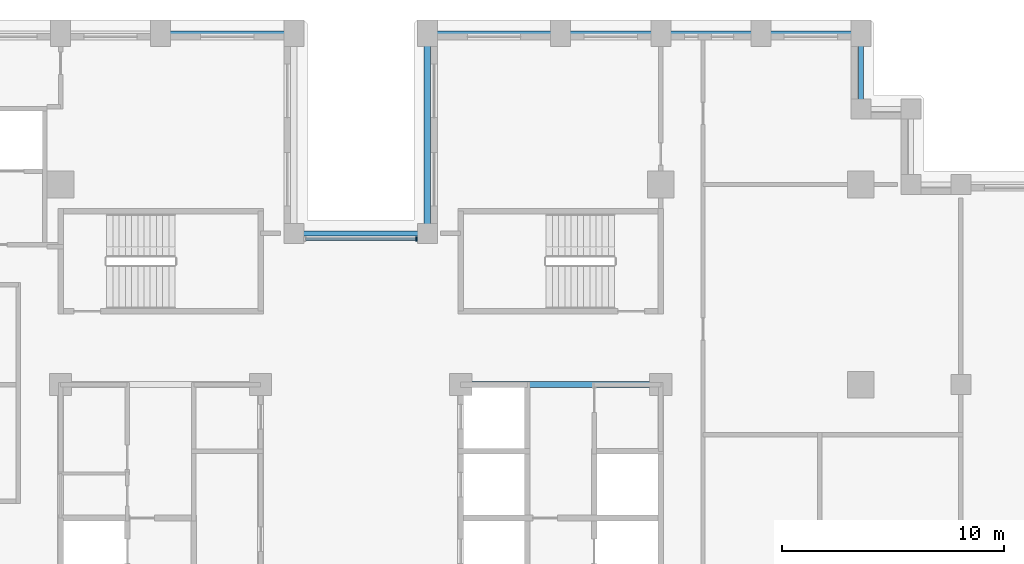
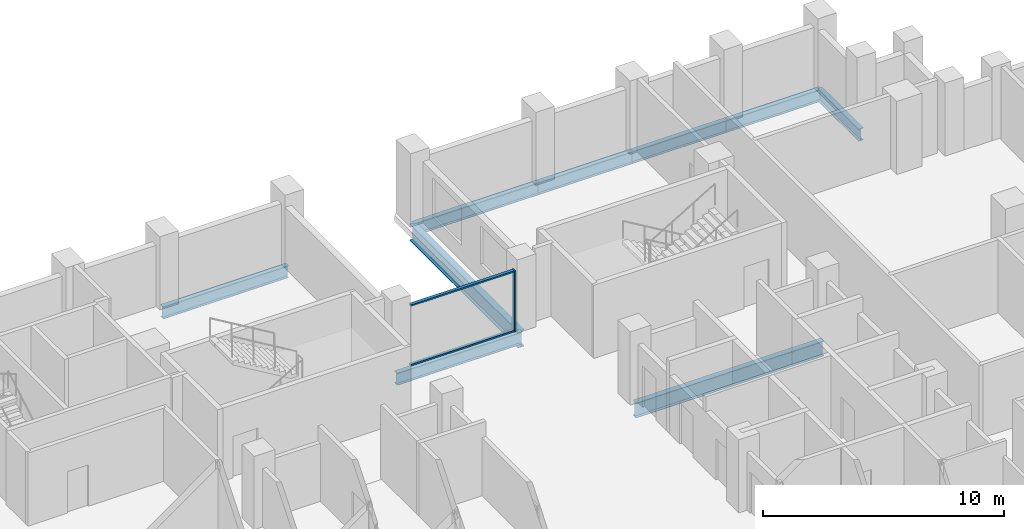
# One storey, part 4 of 16: 9 beams, 3 members, 1 element without a shape of its own.
"""IFC4 building model written with IfcOpenShell, lengths in metres."""

from ifc_helpers import new_model, si_unit, direction, frame, origin, origin_2d, place, context, subcontext, project, spatial, rectangle, i_section, extrude, material, layer, layer_set, material_profile, profile_set, type_object, element, aggregate, save


model = new_model("IFC4")

# Units and contexts
model_context = context("Model", 3, precision=1e-05, world=origin(), true_north=direction((0.0, 1.0)))
body_context = subcontext(model_context, "Body", "Model", "MODEL_VIEW")
ifc_project = project(units=[si_unit("LENGTHUNIT", "METRE"), si_unit("AREAUNIT", "SQUARE_METRE"), si_unit("VOLUMEUNIT", "CUBIC_METRE"), si_unit("PLANEANGLEUNIT", "RADIAN"), si_unit("MASSUNIT", "GRAM", prefix="KILO")], contexts=[model_context])

# Site, building, storey
site_placement = place(None, origin())
site = spatial("IfcSite", under=ifc_project, at=site_placement, CompositionType="ELEMENT")
building_placement = place(site_placement, origin())
building = spatial("IfcBuilding", under=site, at=building_placement, Name="Corbelhall Arena Tower", CompositionType="ELEMENT")
storey_placement = place(building_placement, frame((0.0, 0.0, 76.0)))
storey = spatial("IfcBuildingStorey", under=building, at=storey_placement, Name="L11", CompositionType="ELEMENT", Elevation=76.0)

# Curtain wall, members
ifc_material_1 = material(Name="Aluminium black anodised", Category="aluminium")
ifc_layer = layer(ifc_material_1, 0.199951171875)
ifc_layer_set = layer_set([ifc_layer], Name="EV-CW1 Slot back wall")
curtain_wall_type = type_object("IfcCurtainWallType", Name="EV-CW1 Slot back wall", PredefinedType="NOTDEFINED", material=ifc_layer_set)
curtain_wall_placement = place(storey_placement, origin())
curtain_wall = element("IfcCurtainWall", 1, at=curtain_wall_placement, inside=storey, type_object=curtain_wall_type, Name="Curtain wall CW1", PredefinedType="NOTDEFINED")
ifc_material_profile_1 = material_profile(ifc_material_1, rectangle(XDim=0.199951171875, YDim=0.074951171875, at=origin_2d()))
ifc_profile_set_1 = profile_set([ifc_material_profile_1], Name="Aluminium black anodised")
member_type_1 = type_object("IfcMemberType", Name="EV-CW1-MULLION", PredefinedType="MULLION", material=ifc_profile_set_1)
member_1_placement = place(storey_placement, frame((2.512451171875, 15.550048828125, 0.0), z_axis=(0.0, 0.0, 1.0), x_axis=(0.0, -1.0, 0.0)))
member_1 = element("IfcMember", 2, at=member_1_placement, type_object=member_type_1, Name="CW1 mullion 1", PredefinedType="MULLION", context=body_context, shape_type="SweptSolid", body=[
    extrude(rectangle(XDim=0.199951171875, YDim=0.074951171875, at=origin_2d()), origin(), (0.0, 0.0, 1.0), 3.10009765625),
])
ifc_material_profile_2 = material_profile(ifc_material_1, rectangle(XDim=0.14990234375, YDim=0.074951171875, at=origin_2d()))
ifc_profile_set_2 = profile_set([ifc_material_profile_2], Name="Aluminium black anodised")
member_type_2 = type_object("IfcMemberType", Name="EV-CW1-TRANSOM", PredefinedType="USERDEFINED", material=ifc_profile_set_2)
member_2_placement = place(storey_placement, frame((2.47509765625, 15.550048828125, 0.03759765625), z_axis=(-1.0, 0.0, 0.0), x_axis=(0.0, -1.0, 0.0)))
member_2 = element("IfcMember", 3, at=member_2_placement, type_object=member_type_2, Name="CW1 transom 1.1", ObjectType="transom", PredefinedType="USERDEFINED", context=body_context, shape_type="SweptSolid", body=[
    extrude(rectangle(XDim=0.14990234375, YDim=0.074951171875, at=origin_2d()), origin(), (0.0, 0.0, 1.0), 4.9501953125),
])
member_3_placement = place(storey_placement, frame((2.47509765625, 15.550048828125, 3.0625), z_axis=(-1.0, 0.0, 0.0), x_axis=(0.0, -1.0, 0.0)))
member_3 = element("IfcMember", 4, at=member_3_placement, type_object=member_type_2, Name="CW1 transom 1.2", ObjectType="transom", PredefinedType="USERDEFINED", context=body_context, shape_type="SweptSolid", body=[
    extrude(rectangle(XDim=0.14990234375, YDim=0.074951171875, at=origin_2d()), origin(), (0.0, 0.0, 1.0), 4.9501953125),
])
aggregate(curtain_wall, [member_1, member_2, member_3])

# Beams
ifc_material_2 = material(Name="Steel ASTM A992 Gr50", Category="steel")
ifc_material_profile_3 = material_profile(ifc_material_2, i_section(OverallWidth=0.2666015625, OverallDepth=0.761962890625, WebThickness=0.014404296875, FlangeThickness=0.021484375, at=origin_2d()))
ifc_profile_set_3 = profile_set([ifc_material_profile_3], Name="Steel ASTM A992 Gr50")
beam_type_1 = type_object("IfcBeamType", Name="ST-BEAM-W30x116", PredefinedType="BEAM", material=ifc_profile_set_3)
beam_1_placement = place(storey_placement, frame((4.5, 9.0, -0.680908203125), z_axis=(1.0, 0.0, 0.0), x_axis=(0.0, 1.0, 0.0)))
element("IfcBeam", 5, at=beam_1_placement, inside=storey, type_object=beam_type_1, Name="Beam CEE 12", PredefinedType="BEAM", context=body_context, shape_type="SweptSolid", body=[
    extrude(i_section(OverallWidth=0.2666015625, OverallDepth=0.761962890625, WebThickness=0.014404296875, FlangeThickness=0.021484375, at=origin_2d()), origin(), (0.0, 0.0, 1.0), 9.0),
])
ifc_material_profile_4 = material_profile(ifc_material_2, i_section(OverallWidth=0.23046875, OverallDepth=0.6171875, WebThickness=0.01318359375, FlangeThickness=0.022216796875, at=origin_2d()))
ifc_profile_set_4 = profile_set([ifc_material_profile_4], Name="Steel ASTM A992 Gr50")
beam_type_2 = type_object("IfcBeamType", Name="ST-SPANDREL-W24x94", PredefinedType="SPANDREL", material=ifc_profile_set_4)
beam_2_placement = place(storey_placement, frame((3.0, 24.800048828125, -0.608642578125), z_axis=(1.0, 0.0, 0.0), x_axis=(0.0, 1.0, 0.0)))
element("IfcBeam", 6, at=beam_2_placement, inside=storey, type_object=beam_type_2, Name="Beam SP 17", PredefinedType="SPANDREL", context=body_context, shape_type="SweptSolid", body=[
    extrude(i_section(OverallWidth=0.23046875, OverallDepth=0.6171875, WebThickness=0.01318359375, FlangeThickness=0.022216796875, at=origin_2d()), origin(), (0.0, 0.0, 1.0), 6.0),
])
for number, where, z_axis, x_axis, name in (
    (7, (9.0, 24.800048828125, -0.608642578125), (1.0, 0.0, 0.0), (0.0, 1.0, 0.0), "Beam SP 18"),
    (8, (13.5, 24.800048828125, -0.608642578125), (1.0, 0.0, 0.0), (0.0, 1.0, 0.0), "Beam SP 19"),
    (9, (18.0, 24.800048828125, -0.608642578125), (1.0, 0.0, 0.0), (0.0, 1.0, 0.0), "Beam SP 20"),
):
    element("IfcBeam", number, at=place(storey_placement, frame(where, z_axis=z_axis, x_axis=x_axis)), inside=storey, type_object=beam_type_2, Name=name, PredefinedType="SPANDREL", context=body_context, shape_type="SweptSolid", body=[
        extrude(i_section(OverallWidth=0.23046875, OverallDepth=0.6171875, WebThickness=0.01318359375, FlangeThickness=0.022216796875, at=origin_2d()), origin(), (0.0, 0.0, 1.0), 4.5),
    ])
beam_3_placement = place(storey_placement, frame((22.5, 24.800048828125, -0.608642578125), z_axis=(0.0, -1.0, 0.0), x_axis=(1.0, 0.0, 0.0)))
element("IfcBeam", 10, at=beam_3_placement, inside=storey, type_object=beam_type_2, Name="Beam SP 21", PredefinedType="SPANDREL", context=body_context, shape_type="SweptSolid", body=[
    extrude(i_section(OverallWidth=0.23046875, OverallDepth=0.6171875, WebThickness=0.01318359375, FlangeThickness=0.022216796875, at=origin_2d()), origin(), (0.0, 0.0, 1.0), 3.400146484375),
])
for number, where, z_axis, x_axis, name in (
    (11, (-9.0, 24.800048828125, -0.608642578125), (1.0, 0.0, 0.0), (0.0, 1.0, 0.0), "Beam SP 23"),
    (12, (-3.0, 15.800048828125, -0.608642578125), (1.0, 0.0, 0.0), (0.0, 1.0, 0.0), "Beam SP 40"),
):
    element("IfcBeam", number, at=place(storey_placement, frame(where, z_axis=z_axis, x_axis=x_axis)), inside=storey, type_object=beam_type_2, Name=name, PredefinedType="SPANDREL", context=body_context, shape_type="SweptSolid", body=[
        extrude(i_section(OverallWidth=0.23046875, OverallDepth=0.6171875, WebThickness=0.01318359375, FlangeThickness=0.022216796875, at=origin_2d()), origin(), (0.0, 0.0, 1.0), 6.0),
    ])
ifc_material_profile_5 = material_profile(ifc_material_2, i_section(OverallWidth=0.2919921875, OverallDepth=0.845703125, WebThickness=0.015380859375, FlangeThickness=0.0244140625, at=origin_2d()))
ifc_profile_set_5 = profile_set([ifc_material_profile_5], Name="Steel ASTM A992 Gr50")
beam_type_3 = type_object("IfcBeamType", Name="ST-SPANDREL-W33x141", PredefinedType="SPANDREL", material=ifc_profile_set_5)
beam_4_placement = place(storey_placement, frame((3.0, 15.800048828125, -0.722900390625), z_axis=(0.0, 1.0, 0.0), x_axis=(-1.0, 0.0, 0.0)))
element("IfcBeam", 13, at=beam_4_placement, inside=storey, type_object=beam_type_3, Name="Beam SP 39", PredefinedType="SPANDREL", context=body_context, shape_type="SweptSolid", body=[
    extrude(i_section(OverallWidth=0.2919921875, OverallDepth=0.845703125, WebThickness=0.015380859375, FlangeThickness=0.0244140625, at=origin_2d()), origin(), (0.0, 0.0, 1.0), 9.0),
])

save(model, "model.ifc")
